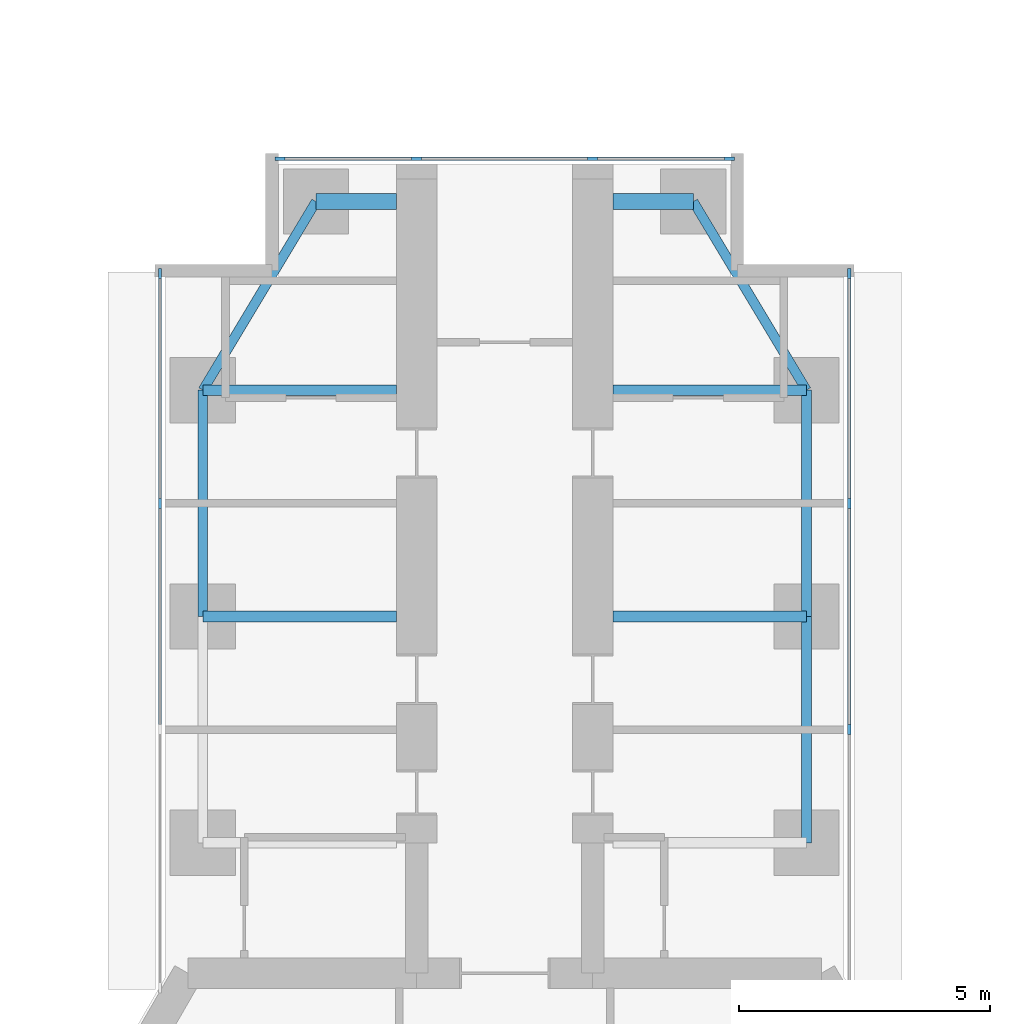
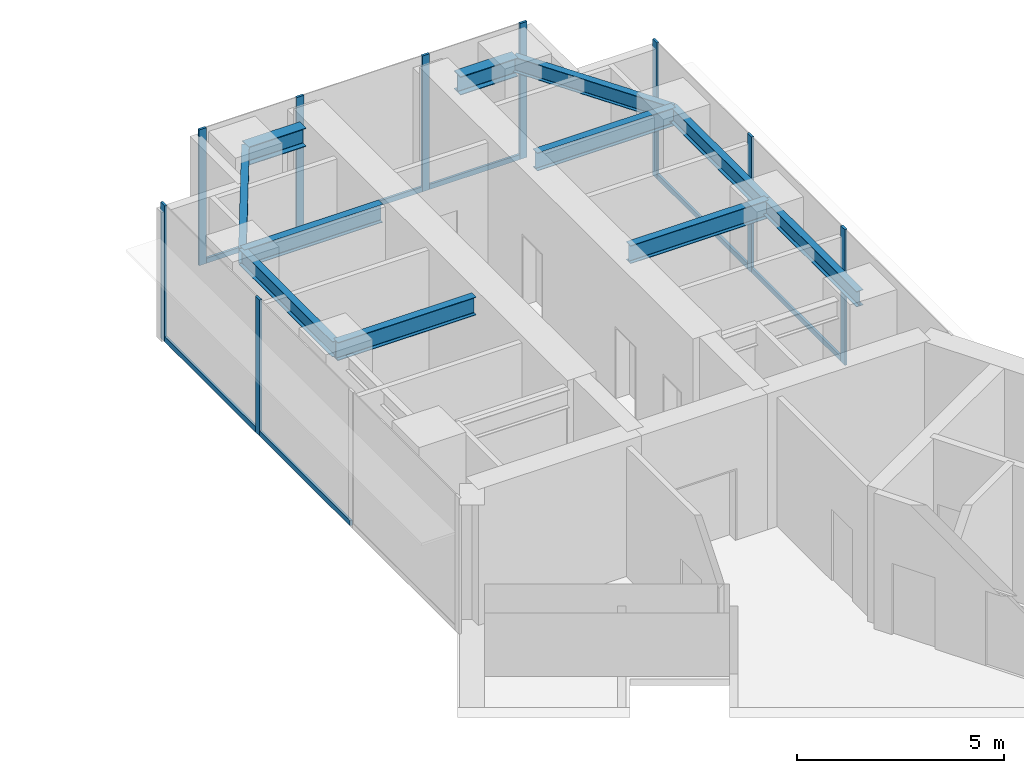
# One storey, part 12 of 22: 16 members, 11 beams, 3 elements without a shape of their own.
"""IFC4 building model written with IfcOpenShell, lengths in metres."""

from ifc_helpers import new_model, si_unit, direction, frame, origin, origin_2d, place, context, subcontext, project, spatial, rectangle, i_section, extrude, material, material_profile, profile_set, type_object, element, aggregate, save


model = new_model("IFC4")

# Units and contexts
model_context = context("Model", 3, precision=1e-05, world=origin(), true_north=direction((0.0, 1.0)))
body_context = subcontext(model_context, "Body", "Model", "MODEL_VIEW")
ifc_project = project(units=[si_unit("LENGTHUNIT", "METRE"), si_unit("AREAUNIT", "SQUARE_METRE"), si_unit("VOLUMEUNIT", "CUBIC_METRE"), si_unit("PLANEANGLEUNIT", "RADIAN"), si_unit("MASSUNIT", "GRAM", prefix="KILO")], contexts=[model_context])

# Site, building, storey
site_placement = place(None, origin())
site = spatial("IfcSite", under=ifc_project, at=site_placement, CompositionType="ELEMENT")
building_placement = place(site_placement, origin())
building = spatial("IfcBuilding", under=site, at=building_placement, Name="Upepo Twin Towers", CompositionType="ELEMENT")
storey_placement = place(building_placement, frame((0.0, 0.0, 137.5)))
storey = spatial("IfcBuildingStorey", under=building, at=storey_placement, Name="L33", CompositionType="ELEMENT", Elevation=137.5)

# Beams
ifc_material_1 = material(Name="Steel S355", Category="steel")
ifc_material_profile_1 = material_profile(ifc_material_1, i_section(OverallWidth=0.1904296875, OverallDepth=0.45703125, WebThickness=0.009033203125, FlangeThickness=0.014404296875, FilletRadius=0.01025390625, at=origin_2d()), Name="UB 457x191x74")
ifc_profile_set_1 = profile_set([ifc_material_profile_1], Name="Steel S355")
beam_type_1 = type_object("IfcBeamType", Name="Beam UB 457x191x74", PredefinedType="BEAM", material=ifc_profile_set_1)
beam_1_placement = place(storey_placement, frame((52.5, 0.0, 3.571533203125), z_axis=(0.0, 1.0, 0.0), x_axis=(-1.0, 0.0, 0.0)))
element("IfcBeam", 1, at=beam_1_placement, inside=storey, type_object=beam_type_1, Name="T2 edge beam AL 18.0-22.5", PredefinedType="BEAM", context=body_context, shape_type="SweptSolid", body=[
    extrude(i_section(OverallWidth=0.1904296875, OverallDepth=0.45703125, WebThickness=0.009033203125, FlangeThickness=0.014404296875, FilletRadius=0.01025390625, at=origin_2d()), origin(), (0.0, 0.0, 1.0), 4.5),
])
beam_2_placement = place(storey_placement, frame((52.5, 4.5, 3.571533203125), z_axis=(0.514495755428, 0.857492925713, 0.0), x_axis=(-0.857492925713, 0.514495755428, 0.0)))
element("IfcBeam", 2, at=beam_2_placement, inside=storey, type_object=beam_type_1, Name="T2 nose edge beam AL", PredefinedType="BEAM", context=body_context, shape_type="SweptSolid", body=[
    extrude(i_section(OverallWidth=0.1904296875, OverallDepth=0.45703125, WebThickness=0.009033203125, FlangeThickness=0.014404296875, FilletRadius=0.01025390625, at=origin_2d()), origin(), (0.0, 0.0, 1.0), 4.373291015625),
])
for number, where, z_axis, x_axis, name in (
    (3, (64.5, -4.5, 3.571533203125), (0.0, 1.0, 0.0), (-1.0, 0.0, 0.0), "T2 edge beam AR 13.5-18.0"),
    (4, (64.5, 0.0, 3.571533203125), (0.0, 1.0, 0.0), (-1.0, 0.0, 0.0), "T2 edge beam AR 18.0-22.5"),
):
    element("IfcBeam", number, at=place(storey_placement, frame(where, z_axis=z_axis, x_axis=x_axis)), inside=storey, type_object=beam_type_1, Name=name, PredefinedType="BEAM", context=body_context, shape_type="SweptSolid", body=[
        extrude(i_section(OverallWidth=0.1904296875, OverallDepth=0.45703125, WebThickness=0.009033203125, FlangeThickness=0.014404296875, FilletRadius=0.01025390625, at=origin_2d()), origin(), (0.0, 0.0, 1.0), 4.5),
    ])
beam_3_placement = place(storey_placement, frame((64.5, 4.5, 3.571533203125), z_axis=(-0.514495755428, 0.857492925713, 0.0), x_axis=(-0.857492925713, -0.514495755428, 0.0)))
element("IfcBeam", 5, at=beam_3_placement, inside=storey, type_object=beam_type_1, Name="T2 nose edge beam AR", PredefinedType="BEAM", context=body_context, shape_type="SweptSolid", body=[
    extrude(i_section(OverallWidth=0.1904296875, OverallDepth=0.45703125, WebThickness=0.009033203125, FlangeThickness=0.014404296875, FilletRadius=0.01025390625, at=origin_2d()), origin(), (0.0, 0.0, 1.0), 4.373291015625),
])
ifc_material_2 = material(Name="Steel S355", Category="steel")
ifc_material_profile_2 = material_profile(ifc_material_2, i_section(OverallWidth=0.209228515625, OverallDepth=0.533203125, WebThickness=0.010009765625, FlangeThickness=0.015625, FilletRadius=0.0126953125, at=origin_2d()), Name="UB 533x210x92")
ifc_profile_set_2 = profile_set([ifc_material_profile_2], Name="Steel S355")
beam_type_2 = type_object("IfcBeamType", Name="Beam UB 533x210x92", PredefinedType="BEAM", material=ifc_profile_set_2)
for number, where, z_axis, x_axis, name in (
    (6, (52.5, 0.0, 3.533447265625), (1.0, 0.0, 0.0), (0.0, 1.0, 0.0), "T2 girder AL at 18.0"),
    (7, (52.5, 4.5, 3.533447265625), (1.0, 0.0, 0.0), (0.0, 1.0, 0.0), "T2 girder AL at 22.5"),
    (8, (64.5, 0.0, 3.533447265625), (-1.0, 0.0, 0.0), (0.0, -1.0, 0.0), "T2 girder AR at 18.0"),
    (9, (64.5, 4.5, 3.533447265625), (-1.0, 0.0, 0.0), (0.0, -1.0, 0.0), "T2 girder AR at 22.5"),
):
    element("IfcBeam", number, at=place(storey_placement, frame(where, z_axis=z_axis, x_axis=x_axis)), inside=storey, type_object=beam_type_2, Name=name, PredefinedType="BEAM", context=body_context, shape_type="SweptSolid", body=[
        extrude(i_section(OverallWidth=0.209228515625, OverallDepth=0.533203125, WebThickness=0.010009765625, FlangeThickness=0.015625, FilletRadius=0.0126953125, at=origin_2d()), origin(), (0.0, 0.0, 1.0), 3.85009765625),
    ])
ifc_material_3 = material(Name="Steel S355", Category="steel")
ifc_material_profile_3 = material_profile(ifc_material_3, i_section(OverallWidth=0.31201171875, OverallDepth=0.54345703125, WebThickness=0.0126953125, FlangeThickness=0.020263671875, FilletRadius=0.0126953125, at=origin_2d()), Name="UB 533x312x150")
ifc_profile_set_3 = profile_set([ifc_material_profile_3], Name="Steel S355")
beam_type_3 = type_object("IfcBeamType", Name="Beam UB 533x312x150", PredefinedType="BEAM", material=ifc_profile_set_3)
for number, where, z_axis, x_axis, name in (
    (10, (54.75, 8.25, 3.5283203125), (1.0, 0.0, 0.0), (0.0, 1.0, 0.0), "T2 nose beam AL"),
    (11, (62.25, 8.25, 3.5283203125), (-1.0, 0.0, 0.0), (0.0, -1.0, 0.0), "T2 nose beam AR"),
):
    element("IfcBeam", number, at=place(storey_placement, frame(where, z_axis=z_axis, x_axis=x_axis)), inside=storey, type_object=beam_type_3, Name=name, PredefinedType="BEAM", context=body_context, shape_type="SweptSolid", body=[
        extrude(i_section(OverallWidth=0.31201171875, OverallDepth=0.54345703125, WebThickness=0.0126953125, FlangeThickness=0.020263671875, FilletRadius=0.0126953125, at=origin_2d()), origin(), (0.0, 0.0, 1.0), 1.60009765625),
    ])

# Curtain wall, members
ifc_material_4 = material(Name="Aluminium and fritted glass", Category="aluminium")
curtain_wall_type = type_object("IfcCurtainWallType", Name="Tower curtain wall TW2, fritted glass", PredefinedType="NOTDEFINED", material=ifc_material_4)
curtain_wall_1_placement = place(storey_placement, origin())
curtain_wall_1 = element("IfcCurtainWall", 12, at=curtain_wall_1_placement, inside=storey, type_object=curtain_wall_type, Name="T2 L33 wing A flank L curtain wall", PredefinedType="NOTDEFINED")
ifc_material_5 = material(Name="Aluminium mullion", Category="aluminium")
ifc_material_profile_4 = material_profile(ifc_material_5, rectangle(XDim=0.06494140625, YDim=0.199951171875, at=origin_2d()), Name="MULLION 65x200")
ifc_profile_set_4 = profile_set([ifc_material_profile_4], Name="Aluminium mullion")
member_type_1 = type_object("IfcMemberType", Name="Mullion 65x200 TW2", PredefinedType="MULLION", material=ifc_profile_set_4)
member_1_placement = place(storey_placement, frame((51.64990234375, 2.25, 0.0), z_axis=(0.0, 0.0, 1.0), x_axis=(-1.0, 0.0, 0.0)))
member_1 = element("IfcMember", 13, at=member_1_placement, type_object=member_type_1, Name="T2 L33 wing A flank L curtain wall mullion 3", PredefinedType="MULLION", context=body_context, shape_type="SweptSolid", body=[
    extrude(rectangle(XDim=0.06494140625, YDim=0.199951171875, at=origin_2d()), origin(), (0.0, 0.0, 1.0), 4.0),
])
member_2_placement = place(storey_placement, frame((51.64990234375, 6.8173828125, 0.0), z_axis=(0.0, 0.0, 1.0), x_axis=(-1.0, 0.0, 0.0)))
member_2 = element("IfcMember", 14, at=member_2_placement, type_object=member_type_1, Name="T2 L33 wing A flank L curtain wall mullion 4", PredefinedType="MULLION", context=body_context, shape_type="SweptSolid", body=[
    extrude(rectangle(XDim=0.06494140625, YDim=0.199951171875, at=origin_2d()), origin(), (0.0, 0.0, 1.0), 4.0),
])

curtain_wall_2_placement = place(storey_placement, origin())
curtain_wall_2 = element("IfcCurtainWall", 15, at=curtain_wall_2_placement, inside=storey, type_object=curtain_wall_type, Name="T2 L33 wing A flank R curtain wall", PredefinedType="NOTDEFINED")
member_3_placement = place(storey_placement, frame((65.35009765625, 6.8173828125, 0.0), z_axis=(0.0, 0.0, 1.0), x_axis=(1.0, 0.0, 0.0)))
member_3 = element("IfcMember", 16, at=member_3_placement, type_object=member_type_1, Name="T2 L33 wing A flank R curtain wall mullion 1", PredefinedType="MULLION", context=body_context, shape_type="SweptSolid", body=[
    extrude(rectangle(XDim=0.06494140625, YDim=0.199951171875, at=origin_2d()), origin(), (0.0, 0.0, 1.0), 4.0),
])
member_4_placement = place(storey_placement, frame((65.35009765625, 2.25, 0.0), z_axis=(0.0, 0.0, 1.0), x_axis=(1.0, 0.0, 0.0)))
member_4 = element("IfcMember", 17, at=member_4_placement, type_object=member_type_1, Name="T2 L33 wing A flank R curtain wall mullion 2", PredefinedType="MULLION", context=body_context, shape_type="SweptSolid", body=[
    extrude(rectangle(XDim=0.06494140625, YDim=0.199951171875, at=origin_2d()), origin(), (0.0, 0.0, 1.0), 4.0),
])
member_5_placement = place(storey_placement, frame((65.35009765625, -2.25, 0.0), z_axis=(0.0, 0.0, 1.0), x_axis=(1.0, 0.0, 0.0)))
member_5 = element("IfcMember", 18, at=member_5_placement, type_object=member_type_1, Name="T2 L33 wing A flank R curtain wall mullion 3", PredefinedType="MULLION", context=body_context, shape_type="SweptSolid", body=[
    extrude(rectangle(XDim=0.06494140625, YDim=0.199951171875, at=origin_2d()), origin(), (0.0, 0.0, 1.0), 4.0),
])

curtain_wall_3_placement = place(storey_placement, origin())
curtain_wall_3 = element("IfcCurtainWall", 19, at=curtain_wall_3_placement, inside=storey, type_object=curtain_wall_type, Name="T2 L33 wing A nose curtain wall", PredefinedType="NOTDEFINED")
member_6_placement = place(storey_placement, frame((62.967529296875, 9.10009765625, 0.0), z_axis=(0.0, 0.0, 1.0), x_axis=(0.0, -1.0, 0.0)))
member_6 = element("IfcMember", 20, at=member_6_placement, type_object=member_type_1, Name="T2 L33 wing A nose curtain wall mullion 1", PredefinedType="MULLION", context=body_context, shape_type="SweptSolid", body=[
    extrude(rectangle(XDim=0.06494140625, YDim=0.199951171875, at=origin_2d()), origin(), (0.0, 0.0, 1.0), 4.0),
])
member_7_placement = place(storey_placement, frame((60.25, 9.10009765625, 0.0), z_axis=(0.0, 0.0, 1.0), x_axis=(0.0, -1.0, 0.0)))
member_7 = element("IfcMember", 21, at=member_7_placement, type_object=member_type_1, Name="T2 L33 wing A nose curtain wall mullion 2", PredefinedType="MULLION", context=body_context, shape_type="SweptSolid", body=[
    extrude(rectangle(XDim=0.06494140625, YDim=0.199951171875, at=origin_2d()), origin(), (0.0, 0.0, 1.0), 4.0),
])
member_8_placement = place(storey_placement, frame((56.75, 9.10009765625, 0.0), z_axis=(0.0, 0.0, 1.0), x_axis=(0.0, -1.0, 0.0)))
member_8 = element("IfcMember", 22, at=member_8_placement, type_object=member_type_1, Name="T2 L33 wing A nose curtain wall mullion 3", PredefinedType="MULLION", context=body_context, shape_type="SweptSolid", body=[
    extrude(rectangle(XDim=0.06494140625, YDim=0.199951171875, at=origin_2d()), origin(), (0.0, 0.0, 1.0), 4.0),
])
member_9_placement = place(storey_placement, frame((54.032470703125, 9.10009765625, 0.0), z_axis=(0.0, 0.0, 1.0), x_axis=(0.0, -1.0, 0.0)))
member_9 = element("IfcMember", 23, at=member_9_placement, type_object=member_type_1, Name="T2 L33 wing A nose curtain wall mullion 4", PredefinedType="MULLION", context=body_context, shape_type="SweptSolid", body=[
    extrude(rectangle(XDim=0.06494140625, YDim=0.199951171875, at=origin_2d()), origin(), (0.0, 0.0, 1.0), 4.0),
])

# Member
ifc_material_6 = material(Name="Aluminium transom", Category="aluminium")
ifc_material_profile_5 = material_profile(ifc_material_6, rectangle(XDim=0.06494140625, YDim=0.14990234375, at=origin_2d()), Name="TRANSOM 65x150")
ifc_profile_set_5 = profile_set([ifc_material_profile_5], Name="Aluminium transom")
member_type_2 = type_object("IfcMemberType", Name="Transom 65x150 TW2", PredefinedType="USERDEFINED", material=ifc_profile_set_5)
member_10_placement = place(storey_placement, frame((51.64990234375, -2.217529296875, 0.074951171875), z_axis=(0.0, 1.0, 0.0), x_axis=(-1.0, 0.0, 0.0)))
member_10 = element("IfcMember", 24, at=member_10_placement, type_object=member_type_2, Name="T2 L33 wing A flank L curtain wall transom 2", ObjectType="TRANSOM", PredefinedType="USERDEFINED", context=body_context, shape_type="SweptSolid", body=[
    extrude(rectangle(XDim=0.06494140625, YDim=0.14990234375, at=origin_2d()), origin(), (0.0, 0.0, 1.0), 4.43505859375),
])

member_11_placement = place(storey_placement, frame((51.64990234375, 2.282470703125, 0.074951171875), z_axis=(0.0, 1.0, 0.0), x_axis=(-1.0, 0.0, 0.0)))
member_11 = element("IfcMember", 25, at=member_11_placement, type_object=member_type_2, Name="T2 L33 wing A flank L curtain wall transom 3", ObjectType="TRANSOM", PredefinedType="USERDEFINED", context=body_context, shape_type="SweptSolid", body=[
    extrude(rectangle(XDim=0.06494140625, YDim=0.14990234375, at=origin_2d()), origin(), (0.0, 0.0, 1.0), 4.50244140625),
])

aggregate(curtain_wall_1, [member_1, member_2, member_10, member_11])

member_12_placement = place(storey_placement, frame((65.35009765625, 6.784912109375, 0.074951171875), z_axis=(0.0, -1.0, 0.0), x_axis=(1.0, 0.0, 0.0)))
member_12 = element("IfcMember", 26, at=member_12_placement, type_object=member_type_2, Name="T2 L33 wing A flank R curtain wall transom 1", ObjectType="TRANSOM", PredefinedType="USERDEFINED", context=body_context, shape_type="SweptSolid", body=[
    extrude(rectangle(XDim=0.06494140625, YDim=0.14990234375, at=origin_2d()), origin(), (0.0, 0.0, 1.0), 4.50244140625),
])

member_13_placement = place(storey_placement, frame((65.35009765625, 2.217529296875, 0.074951171875), z_axis=(0.0, -1.0, 0.0), x_axis=(1.0, 0.0, 0.0)))
member_13 = element("IfcMember", 27, at=member_13_placement, type_object=member_type_2, Name="T2 L33 wing A flank R curtain wall transom 2", ObjectType="TRANSOM", PredefinedType="USERDEFINED", context=body_context, shape_type="SweptSolid", body=[
    extrude(rectangle(XDim=0.06494140625, YDim=0.14990234375, at=origin_2d()), origin(), (0.0, 0.0, 1.0), 4.43505859375),
])

aggregate(curtain_wall_2, [member_3, member_4, member_5, member_12, member_13])

member_14_placement = place(storey_placement, frame((62.93505859375, 9.10009765625, 0.074951171875), z_axis=(-1.0, 0.0, 0.0), x_axis=(0.0, -1.0, 0.0)))
member_14 = element("IfcMember", 28, at=member_14_placement, type_object=member_type_2, Name="T2 L33 wing A nose curtain wall transom 1", ObjectType="TRANSOM", PredefinedType="USERDEFINED", context=body_context, shape_type="SweptSolid", body=[
    extrude(rectangle(XDim=0.06494140625, YDim=0.14990234375, at=origin_2d()), origin(), (0.0, 0.0, 1.0), 2.652587890625),
])

member_15_placement = place(storey_placement, frame((60.217529296875, 9.10009765625, 0.074951171875), z_axis=(-1.0, 0.0, 0.0), x_axis=(0.0, -1.0, 0.0)))
member_15 = element("IfcMember", 29, at=member_15_placement, type_object=member_type_2, Name="T2 L33 wing A nose curtain wall transom 2", ObjectType="TRANSOM", PredefinedType="USERDEFINED", context=body_context, shape_type="SweptSolid", body=[
    extrude(rectangle(XDim=0.06494140625, YDim=0.14990234375, at=origin_2d()), origin(), (0.0, 0.0, 1.0), 3.43505859375),
])

member_16_placement = place(storey_placement, frame((56.717529296875, 9.10009765625, 0.074951171875), z_axis=(-1.0, 0.0, 0.0), x_axis=(0.0, -1.0, 0.0)))
member_16 = element("IfcMember", 30, at=member_16_placement, type_object=member_type_2, Name="T2 L33 wing A nose curtain wall transom 3", ObjectType="TRANSOM", PredefinedType="USERDEFINED", context=body_context, shape_type="SweptSolid", body=[
    extrude(rectangle(XDim=0.06494140625, YDim=0.14990234375, at=origin_2d()), origin(), (0.0, 0.0, 1.0), 2.652587890625),
])

aggregate(curtain_wall_3, [member_6, member_7, member_8, member_9, member_14, member_15, member_16])

save(model, "model.ifc")
